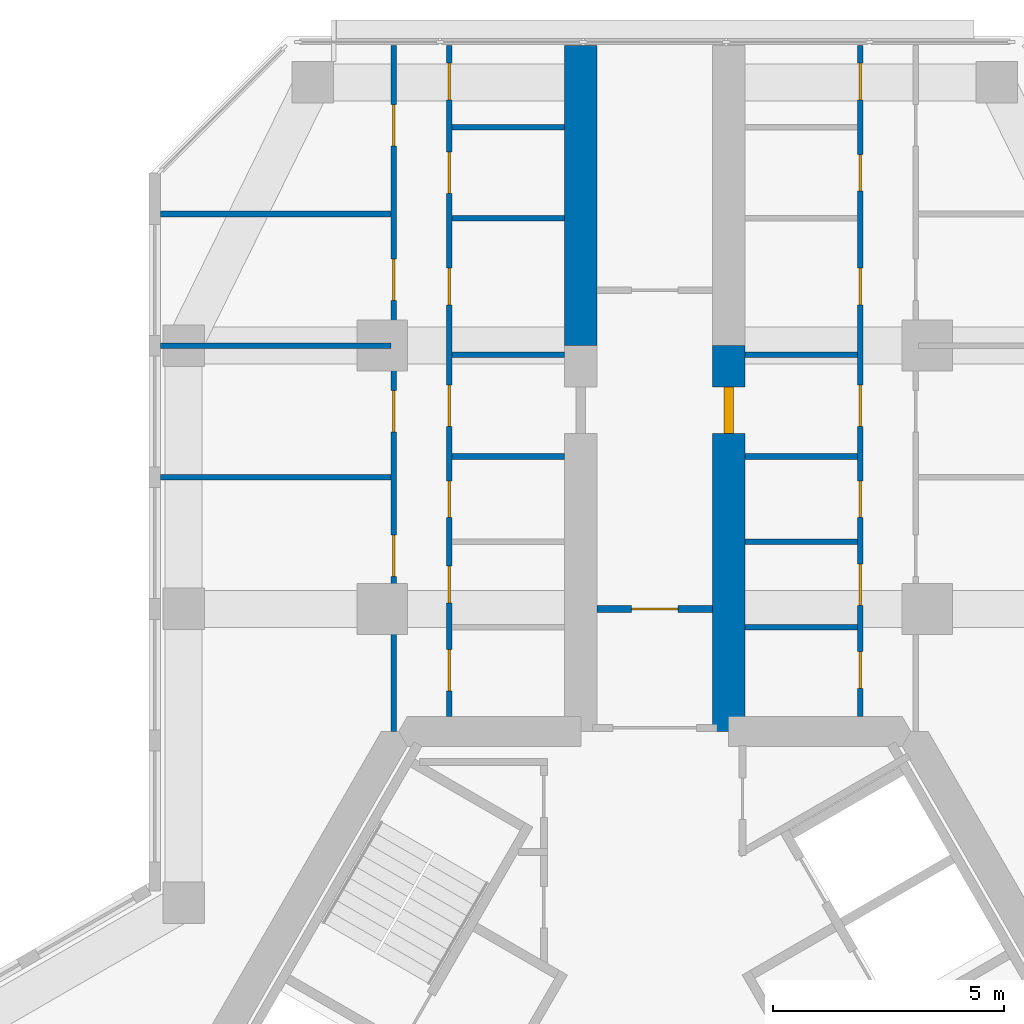
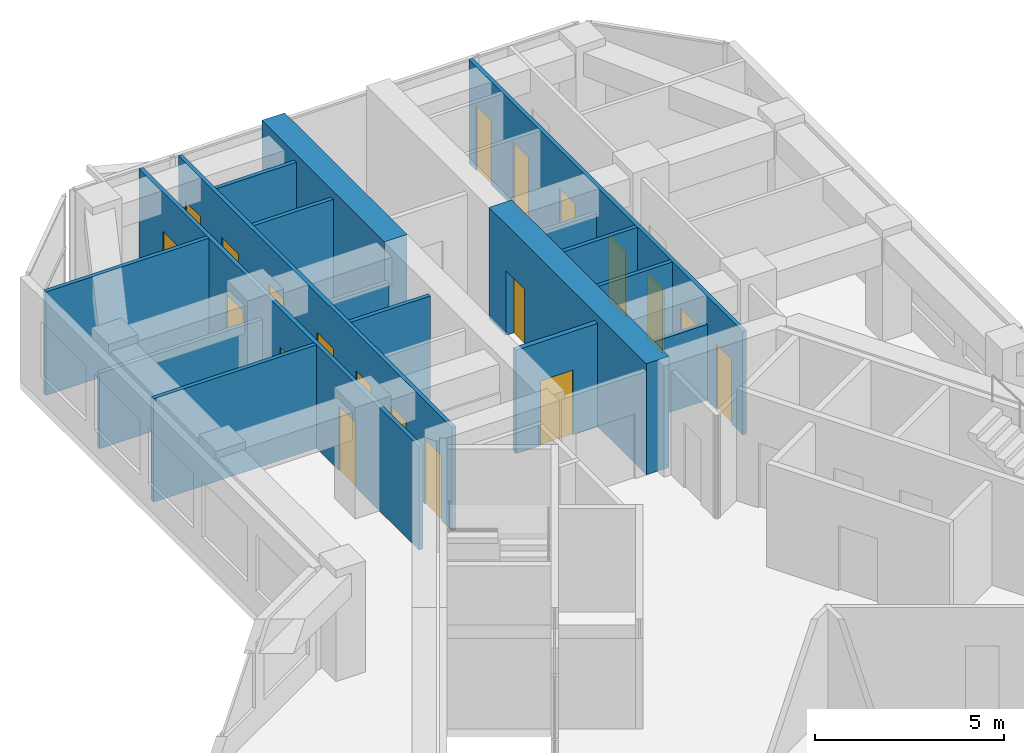
# One storey, part 14 of 16: 20 doors, 17 walls, 20 openings.
"""IFC4 building model written with IfcOpenShell, lengths in metres."""

import ifcopenshell
import ifcopenshell.guid

model = None  # the IFC model being written
_history = None  # IfcOwnerHistory: only IFC2X3 demands one
_inside = {}  # id of a spatial element -> (the spatial element, [elements in it])
_under = {}  # id of a project, library or spatial element -> (it, [spatial elements below it])
_declared = {}  # id of a project -> (the project, [libraries it declares])
_typed = {}  # id of a type object -> (the type object, [elements of that type])
_made_of = {}  # id of a material, layer set ... -> (it, [elements and type objects made of it])


def new_model(schema):
    """Start an empty IFC model of exactly this schema.

    Asked for "IFC4X3", IfcOpenShell would pick the latest addendum, in which some entities
    have other attributes; the version numbers below select the first issue.
    IFC2X3 requires an IfcOwnerHistory on every rooted entity: one is made here for all.
    """
    global model, _history
    if schema == "IFC4X3":
        model = ifcopenshell.file(schema_version=(4, 3, 0, 0))
    else:
        model = ifcopenshell.file(schema=schema)
    _inside.clear()
    _under.clear()
    _declared.clear()
    _typed.clear()
    _made_of.clear()
    _history = None
    if model.schema == "IFC2X3":
        org = make("IfcOrganization", Name="unknown")
        user = make(
            "IfcPersonAndOrganization",
            ThePerson=make("IfcPerson", FamilyName="unknown"),
            TheOrganization=org,
        )
        app = make(
            "IfcApplication",
            ApplicationDeveloper=org,
            Version="unknown",
            ApplicationFullName="unknown",
            ApplicationIdentifier="unknown",
        )
        _history = make(
            "IfcOwnerHistory",
            OwningUser=user,
            OwningApplication=app,
            ChangeAction="ADDED",
            CreationDate=0,
        )
    return model


def make(cls, **values):
    """One entity of the class cls with the attributes given. An attribute that is None is left unset."""
    return model.create_entity(
        cls, **{name: value for name, value in values.items() if value is not None}
    )


def rooted(cls, **values):
    """An entity with a GlobalId (a new one), such as an element, a storey or a relation."""
    return make(cls, GlobalId=ifcopenshell.guid.new(), OwnerHistory=_history, **values)


def si_unit(unit_type, name, prefix=None):
    """IfcSIUnit, for example si_unit("LENGTHUNIT", "METRE", prefix="MILLI")."""
    return make("IfcSIUnit", UnitType=unit_type, Prefix=prefix, Name=name)


def assignment(units):
    """IfcUnitAssignment: the units of a project."""
    return None if units is None else make("IfcUnitAssignment", Units=units)


def point(xyz):
    """IfcCartesianPoint."""
    return None if xyz is None else make("IfcCartesianPoint", Coordinates=xyz)


def direction(xyz):
    """IfcDirection."""
    return None if xyz is None else make("IfcDirection", DirectionRatios=xyz)


def frame(location, z_axis=None, x_axis=None):
    """IfcAxis2Placement3D, a coordinate frame: its origin and axes. An axis left out is left unset."""
    return make(
        "IfcAxis2Placement3D",
        Location=point(location),
        Axis=direction(z_axis),
        RefDirection=direction(x_axis),
    )


def frame_2d(location, x_axis=None):
    """IfcAxis2Placement2D, a coordinate frame in the plane: its origin and x axis."""
    return make(
        "IfcAxis2Placement2D", Location=point(location), RefDirection=direction(x_axis)
    )


def origin():
    """The frame at (0, 0, 0) with its axes left unset."""
    return frame((0.0, 0.0, 0.0))


def place(relative_to, where):
    """IfcLocalPlacement: puts the frame where relative to a parent placement (None: the world)."""
    return make(
        "IfcLocalPlacement", PlacementRelTo=relative_to, RelativePlacement=where
    )


def context(
    kind, dimensions, precision=None, world=None, true_north=None, identifier=None
):
    """IfcGeometricRepresentationContext, for example the 3D "Model" context."""
    return make(
        "IfcGeometricRepresentationContext",
        ContextIdentifier=identifier,
        ContextType=kind,
        CoordinateSpaceDimension=dimensions,
        Precision=precision,
        WorldCoordinateSystem=world,
        TrueNorth=true_north,
    )


def subcontext(parent, identifier, kind, view, scale=None):
    """IfcGeometricRepresentationSubContext, for example "Body" below "Model"."""
    return make(
        "IfcGeometricRepresentationSubContext",
        ContextIdentifier=identifier,
        ContextType=kind,
        ParentContext=parent,
        TargetScale=scale,
        TargetView=view,
    )


def project(units=None, contexts=None):
    """IfcProject with its units and contexts."""
    return rooted(
        "IfcProject",
        Name="project",
        RepresentationContexts=contexts,
        UnitsInContext=assignment(units),
    )


def spatial(cls, under=None, at=None, **own):
    """A site, building, storey or space (cls), placed at a placement, below another one or the project."""
    s = rooted(cls, ObjectPlacement=at, **own)
    if under is not None:
        _under.setdefault(under.id(), (under, []))[1].append(s)
    return s


def profile(cls, at=None, kind="AREA", **sizes):
    """A parametric profile (cls). Its sizes go by their IFC names, for example OverallWidth=200.0."""
    return make(cls, ProfileType=kind, Position=at, **sizes)


def rectangle(**sizes):
    """IfcRectangleProfileDef."""
    return profile("IfcRectangleProfileDef", **sizes)


def extrude(swept, where, along, depth):
    """IfcExtrudedAreaSolid: the profile swept, set in the frame where, extruded along a direction by depth."""
    return make(
        "IfcExtrudedAreaSolid",
        SweptArea=swept,
        Position=where,
        ExtrudedDirection=direction(along),
        Depth=depth,
    )


def shape(context_of_items, identifier, shape_type, items):
    """IfcShapeRepresentation: the items that make up one representation, for example the "Body"."""
    return make(
        "IfcShapeRepresentation",
        ContextOfItems=context_of_items,
        RepresentationIdentifier=identifier,
        RepresentationType=shape_type,
        Items=items,
    )


def material(Name=None, Category=None):
    """IfcMaterial."""
    return make("IfcMaterial", Name=Name, Category=Category)


def layer(
    of_material, thickness, ventilated=None, Name=None, Category=None, Priority=None
):
    """IfcMaterialLayer: one layer of a wall or slab, of a material (None: an air gap)."""
    return make(
        "IfcMaterialLayer",
        Material=of_material,
        LayerThickness=thickness,
        IsVentilated=ventilated,
        Name=Name,
        Category=Category,
        Priority=Priority,
    )


def layer_set(layers, Name=None):
    """IfcMaterialLayerSet."""
    return make("IfcMaterialLayerSet", MaterialLayers=layers, LayerSetName=Name)


def made_of(thing, what):
    """Note that an element or type object is made of a material, layer set ...; save() writes the relation."""
    if what is not None:
        _made_of.setdefault(what.id(), (what, []))[1].append(thing)
    return thing


def type_object(cls, material=None, **own):
    """A type object (cls), such as IfcWallType, which elements share."""
    return made_of(rooted(cls, **own), material)


def element(
    cls,
    number,
    at=None,
    inside=None,
    cuts=None,
    type_object=None,
    material=None,
    context=None,
    identifier="Body",
    shape_type=None,
    held_by="IfcProductDefinitionShape",
    body=None,
    shapes=None,
    **own,
):
    """One element of the class cls, such as IfcWall. Its Tag is "e" and its number.

    at: its placement. inside: the storey or other place that contains it. cuts: it is an
    opening in that element (IfcRelVoidsElement). A single representation is given by context,
    identifier, shape_type and body (its items); several are given by shapes. held_by: the class
    of the entity that holds the representations. save() writes the other relations.
    """
    e = rooted(cls, Tag="e%d" % number, ObjectPlacement=at, **own)
    if body is not None:
        shapes = [shape(context, identifier, shape_type, body)]
    if shapes is not None:
        e.Representation = make(held_by, Representations=shapes)
    if inside is not None:
        _inside.setdefault(inside.id(), (inside, []))[1].append(e)
    if cuts is not None:
        rooted(
            "IfcRelVoidsElement", RelatingBuildingElement=cuts, RelatedOpeningElement=e
        )
    if type_object is not None:
        _typed.setdefault(type_object.id(), (type_object, []))[1].append(e)
    return made_of(e, material)


def fill(opening, filler):
    """IfcRelFillsElement: the door or window that sits in an opening."""
    return rooted(
        "IfcRelFillsElement",
        RelatingOpeningElement=opening,
        RelatedBuildingElement=filler,
    )


def aggregate(whole, parts):
    """IfcRelAggregates: a whole, such as a stair, and the parts it consists of."""
    return rooted("IfcRelAggregates", RelatingObject=whole, RelatedObjects=parts)


def save(model, path):
    """Write the relations noted so far, then the file.

    IfcRelAggregates (storeys below a building ...), IfcRelContainedInSpatialStructure (elements
    in a storey), IfcRelDefinesByType, IfcRelAssociatesMaterial and IfcRelDeclares: one each for
    every whole, place, type object, material and project.
    """
    for whole, parts in _under.values():
        aggregate(whole, parts)
    for where, things in _inside.values():
        rooted(
            "IfcRelContainedInSpatialStructure",
            RelatedElements=things,
            RelatingStructure=where,
        )
    for kind, things in _typed.values():
        rooted("IfcRelDefinesByType", RelatedObjects=things, RelatingType=kind)
    for what, things in _made_of.values():
        rooted("IfcRelAssociatesMaterial", RelatedObjects=things, RelatingMaterial=what)
    for by, libraries in _declared.values():
        rooted("IfcRelDeclares", RelatingContext=by, RelatedDefinitions=libraries)
    model.write(path)


model = new_model("IFC4")

# Units and contexts
model_context = context("Model", 3, precision=1e-05, world=origin(), true_north=direction((0.0, 1.0)))
body_context = subcontext(model_context, "Body", "Model", "MODEL_VIEW")
ifc_project = project(units=[si_unit("LENGTHUNIT", "METRE"), si_unit("AREAUNIT", "SQUARE_METRE"), si_unit("VOLUMEUNIT", "CUBIC_METRE"), si_unit("PLANEANGLEUNIT", "RADIAN"), si_unit("MASSUNIT", "GRAM", prefix="KILO")], contexts=[model_context])

# Site, building, storey
site_placement = place(None, origin())
site = spatial("IfcSite", under=ifc_project, at=site_placement, CompositionType="ELEMENT")
building_placement = place(site_placement, origin())
building = spatial("IfcBuilding", under=site, at=building_placement, Name="Kosmar Iwan School Tower", CompositionType="ELEMENT")
storey_placement = place(building_placement, frame((0.0, 0.0, 201.0)))
storey = spatial("IfcBuildingStorey", under=building, at=storey_placement, Name="L50", CompositionType="ELEMENT", Elevation=201.0)

# Wall
ifc_material_1 = material(Name="Concrete C50/60", Category="concrete")
ifc_layer_1 = layer(ifc_material_1, 0.699951171875)
ifc_layer_set_1 = layer_set([ifc_layer_1], Name="Corridor buttress wall 700")
wall_type_1 = type_object("IfcWallType", Name="Corridor buttress wall 700", PredefinedType="SHEAR", material=ifc_layer_set_1)
wall_1_placement = place(storey_placement, frame((-1.60009765625, 17.949951171875, 0.0), z_axis=(0.0, 0.0, 1.0), x_axis=(0.0, 1.0, 0.0)))
element("IfcWall", 1, at=wall_1_placement, inside=storey, type_object=wall_type_1, Name="Corridor wall AL bay 2", PredefinedType="SHEAR", context=body_context, shape_type="SweptSolid", body=[
    extrude(rectangle(XDim=6.4951171875, YDim=0.699951171875, at=frame_2d((3.24755859375, 0.0))), origin(), (0.0, 0.0, 1.0), 3.60009765625),
])

# Wall, opening, door
wall_2_placement = place(storey_placement, frame((1.60009765625, 9.60009765625, 0.0), z_axis=(0.0, 0.0, 1.0), x_axis=(0.0, 1.0, 0.0)))
wall_2 = element("IfcWall", 2, at=wall_2_placement, inside=storey, type_object=wall_type_1, Name="Corridor wall AR", PredefinedType="SHEAR", context=body_context, shape_type="SweptSolid", body=[
    extrude(rectangle(XDim=8.349853515625, YDim=0.699951171875, at=frame_2d((4.1748046875, 0.0))), origin(), (0.0, 0.0, 1.0), 3.60009765625),
])
opening_1_placement = place(wall_2_placement, frame((6.449951171875, 0.0, 0.0)))
opening_1 = element("IfcOpeningElement", 3, at=opening_1_placement, cuts=wall_2, Name="Opening D1", PredefinedType="OPENING", context=body_context, shape_type="SweptSolid", body=[
    extrude(rectangle(XDim=1.0, YDim=2.10009765625, at=frame_2d((0.5, 1.050048828125))), frame((0.0, 0.362060546875, 0.0), z_axis=(0.0, -1.0, 0.0), x_axis=(1.0, 0.0, 0.0)), (0.0, 0.0, 1.0), 0.723876953125),
])
ifc_material_2 = material(Name="Timber fire door in steel frame", Category="steel")
door_type_1 = type_object("IfcDoorType", Name="Flat entrance door 1000x2100", OperationType="SINGLE_SWING_LEFT", PredefinedType="DOOR", material=ifc_material_2)
door_1_placement = place(opening_1_placement, origin())
door_1 = element("IfcDoor", 4, at=door_1_placement, inside=storey, type_object=door_type_1, Name="Flat L50-AR1 entrance door", OperationType="SINGLE_SWING_RIGHT", OverallHeight=2.10009765625, OverallWidth=1.0, PredefinedType="DOOR", context=body_context, shape_type="SweptSolid", body=[
    extrude(rectangle(XDim=1.0, YDim=2.10009765625, at=frame_2d((0.5, 1.050048828125))), frame((0.0, 0.10009765625, 0.0), z_axis=(0.0, -1.0, 0.0), x_axis=(1.0, 0.0, 0.0)), (0.0, 0.0, 1.0), 0.199951171875),
])
fill(opening_1, door_1)

ifc_material_3 = material(Name="Gypsum board on steel studs, fire-rated", Category="steel")
ifc_layer_2 = layer(ifc_material_3, 0.14990234375)
ifc_layer_set_2 = layer_set([ifc_layer_2], Name="Corridor end wall 150")
wall_type_2 = type_object("IfcWallType", Name="Corridor end wall 150", PredefinedType="PARTITIONING", material=ifc_layer_set_2)
wall_3_placement = place(storey_placement, frame((1.25, 12.25, 0.0), z_axis=(0.0, 0.0, 1.0), x_axis=(-1.0, 0.0, 0.0)))
wall_3 = element("IfcWall", 5, at=wall_3_placement, inside=storey, type_object=wall_type_2, Name="Partition L50-A-HW", PredefinedType="PARTITIONING", context=body_context, shape_type="SweptSolid", body=[
    extrude(rectangle(XDim=2.5, YDim=0.14990234375, at=frame_2d((1.25, 0.0))), origin(), (0.0, 0.0, 1.0), 3.35009765625),
])
opening_2_placement = place(wall_3_placement, frame((0.75, 0.0, 0.0)))
opening_2 = element("IfcOpeningElement", 6, at=opening_2_placement, cuts=wall_3, Name="Opening D13", PredefinedType="OPENING", context=body_context, shape_type="SweptSolid", body=[
    extrude(rectangle(XDim=1.0, YDim=2.10009765625, at=frame_2d((0.5, 1.050048828125))), frame((0.0, 0.0869140625, 0.0), z_axis=(0.0, -1.0, 0.0), x_axis=(1.0, 0.0, 0.0)), (0.0, 0.0, 1.0), 0.173828125),
])
ifc_material_4 = material(Name="Timber fire door with vision panel", Category="wood")
door_type_2 = type_object("IfcDoorType", Name="Corridor end door 1000x2100", OperationType="SINGLE_SWING_LEFT", PredefinedType="DOOR", material=ifc_material_4)
door_2_placement = place(opening_2_placement, origin())
door_2 = element("IfcDoor", 7, at=door_2_placement, inside=storey, type_object=door_type_2, Name="Entrance door L50-A", OperationType="SINGLE_SWING_RIGHT", OverallHeight=2.10009765625, OverallWidth=1.0, PredefinedType="DOOR", context=body_context, shape_type="SweptSolid", body=[
    extrude(rectangle(XDim=1.0, YDim=2.10009765625, at=frame_2d((0.5, 1.050048828125))), frame((0.0, 0.02490234375, 0.0), z_axis=(0.0, -1.0, 0.0), x_axis=(1.0, 0.0, 0.0)), (0.0, 0.0, 1.0), 0.050048828125),
])
fill(opening_2, door_2)

# Wall, openings, doors
ifc_material_5 = material(Name="Gypsum board on steel studs", Category="steel")
ifc_layer_3 = layer(ifc_material_5, 0.1201171875)
ifc_layer_set_3 = layer_set([ifc_layer_3], Name="Dwelling partition 120")
wall_type_3 = type_object("IfcWallType", Name="Dwelling partition 120", PredefinedType="PARTITIONING", material=ifc_layer_set_3)
wall_4_placement = place(storey_placement, frame((-4.449951171875, 9.925048828125, 0.0), z_axis=(0.0, 0.0, 1.0), x_axis=(0.0, 1.0, 0.0)))
wall_4 = element("IfcWall", 8, at=wall_4_placement, inside=storey, type_object=wall_type_3, Name="Partition L50-AL1-W1", PredefinedType="PARTITIONING", context=body_context, shape_type="SweptSolid", body=[
    extrude(rectangle(XDim=14.52001953125, YDim=0.1201171875, at=frame_2d((7.260009765625, 0.0))), origin(), (0.0, 0.0, 1.0), 3.35009765625),
])
opening_3_placement = place(wall_4_placement, frame((0.550048828125, 0.0, 0.0)))
opening_3 = element("IfcOpeningElement", 9, at=opening_3_placement, cuts=wall_4, Name="Opening D2", PredefinedType="OPENING", context=body_context, shape_type="SweptSolid", body=[
    extrude(rectangle(XDim=0.89990234375, YDim=2.10009765625, at=frame_2d((0.449951171875, 1.050048828125))), frame((0.0, 0.072021484375, 0.0), z_axis=(0.0, -1.0, 0.0), x_axis=(1.0, 0.0, 0.0)), (0.0, 0.0, 1.0), 0.14404296875),
])
opening_4_placement = place(wall_4_placement, frame((2.449951171875, 0.0, 0.0)))
opening_4 = element("IfcOpeningElement", 10, at=opening_4_placement, cuts=wall_4, Name="Opening D3", PredefinedType="OPENING", context=body_context, shape_type="SweptSolid", body=[
    extrude(rectangle(XDim=0.800048828125, YDim=2.10009765625, at=frame_2d((0.39990234375, 1.050048828125))), frame((0.0, 0.072021484375, 0.0), z_axis=(0.0, -1.0, 0.0), x_axis=(1.0, 0.0, 0.0)), (0.0, 0.0, 1.0), 0.14404296875),
])
opening_5_placement = place(wall_4_placement, frame((4.300048828125, 0.0, 0.0)))
opening_5 = element("IfcOpeningElement", 11, at=opening_5_placement, cuts=wall_4, Name="Opening D3", PredefinedType="OPENING", context=body_context, shape_type="SweptSolid", body=[
    extrude(rectangle(XDim=0.800048828125, YDim=2.10009765625, at=frame_2d((0.39990234375, 1.050048828125))), frame((0.0, 0.072021484375, 0.0), z_axis=(0.0, -1.0, 0.0), x_axis=(1.0, 0.0, 0.0)), (0.0, 0.0, 1.0), 0.14404296875),
])
opening_6_placement = place(wall_4_placement, frame((6.27490234375, 0.0, 0.0)))
opening_6 = element("IfcOpeningElement", 12, at=opening_6_placement, cuts=wall_4, Name="Opening D2", PredefinedType="OPENING", context=body_context, shape_type="SweptSolid", body=[
    extrude(rectangle(XDim=0.89990234375, YDim=2.10009765625, at=frame_2d((0.449951171875, 1.050048828125))), frame((0.0, 0.072021484375, 0.0), z_axis=(0.0, -1.0, 0.0), x_axis=(1.0, 0.0, 0.0)), (0.0, 0.0, 1.0), 0.14404296875),
])
opening_7_placement = place(wall_4_placement, frame((8.903564453125, 0.0, 0.0)))
opening_7 = element("IfcOpeningElement", 13, at=opening_7_placement, cuts=wall_4, Name="Opening D3", PredefinedType="OPENING", context=body_context, shape_type="SweptSolid", body=[
    extrude(rectangle(XDim=0.800048828125, YDim=2.10009765625, at=frame_2d((0.39990234375, 1.050048828125))), frame((0.0, 0.072021484375, 0.0), z_axis=(0.0, -1.0, 0.0), x_axis=(1.0, 0.0, 0.0)), (0.0, 0.0, 1.0), 0.14404296875),
])
opening_8_placement = place(wall_4_placement, frame((11.31787109375, 0.0, 0.0)))
opening_8 = element("IfcOpeningElement", 14, at=opening_8_placement, cuts=wall_4, Name="Opening D2", PredefinedType="OPENING", context=body_context, shape_type="SweptSolid", body=[
    extrude(rectangle(XDim=0.89990234375, YDim=2.10009765625, at=frame_2d((0.449951171875, 1.050048828125))), frame((0.0, 0.072021484375, 0.0), z_axis=(0.0, -1.0, 0.0), x_axis=(1.0, 0.0, 0.0)), (0.0, 0.0, 1.0), 0.14404296875),
])
opening_9_placement = place(wall_4_placement, frame((13.33935546875, 0.0, 0.0)))
opening_9 = element("IfcOpeningElement", 15, at=opening_9_placement, cuts=wall_4, Name="Opening D3", PredefinedType="OPENING", context=body_context, shape_type="SweptSolid", body=[
    extrude(rectangle(XDim=0.800048828125, YDim=2.10009765625, at=frame_2d((0.39990234375, 1.050048828125))), frame((0.0, 0.072021484375, 0.0), z_axis=(0.0, -1.0, 0.0), x_axis=(1.0, 0.0, 0.0)), (0.0, 0.0, 1.0), 0.14404296875),
])
ifc_material_6 = material(Name="Timber door in timber frame", Category="wood")
door_type_3 = type_object("IfcDoorType", Name="Internal door 900x2100", OperationType="SINGLE_SWING_LEFT", PredefinedType="DOOR", material=ifc_material_6)
door_3_placement = place(opening_3_placement, origin())
door_3 = element("IfcDoor", 16, at=door_3_placement, inside=storey, type_object=door_type_3, Name="Utility room door L50-AL1-S1", OperationType="SINGLE_SWING_LEFT", OverallHeight=2.10009765625, OverallWidth=0.89990234375, PredefinedType="DOOR", context=body_context, shape_type="SweptSolid", body=[
    extrude(rectangle(XDim=0.89990234375, YDim=2.10009765625, at=frame_2d((0.449951171875, 1.050048828125))), frame((0.0, 0.02490234375, 0.0), z_axis=(0.0, -1.0, 0.0), x_axis=(1.0, 0.0, 0.0)), (0.0, 0.0, 1.0), 0.050048828125),
])
fill(opening_3, door_3)
door_4_placement = place(opening_6_placement, origin())
door_4 = element("IfcDoor", 17, at=door_4_placement, inside=storey, type_object=door_type_3, Name="Entrance hall door L50-AL1-S4", OperationType="SINGLE_SWING_LEFT", OverallHeight=2.10009765625, OverallWidth=0.89990234375, PredefinedType="DOOR", context=body_context, shape_type="SweptSolid", body=[
    extrude(rectangle(XDim=0.89990234375, YDim=2.10009765625, at=frame_2d((0.449951171875, 1.050048828125))), frame((0.0, 0.02490234375, 0.0), z_axis=(0.0, -1.0, 0.0), x_axis=(1.0, 0.0, 0.0)), (0.0, 0.0, 1.0), 0.050048828125),
])
fill(opening_6, door_4)
door_5_placement = place(opening_8_placement, origin())
door_5 = element("IfcDoor", 18, at=door_5_placement, inside=storey, type_object=door_type_3, Name="Pantry door L50-AL1-S6", OperationType="SINGLE_SWING_RIGHT", OverallHeight=2.10009765625, OverallWidth=0.89990234375, PredefinedType="DOOR", context=body_context, shape_type="SweptSolid", body=[
    extrude(rectangle(XDim=0.89990234375, YDim=2.10009765625, at=frame_2d((0.449951171875, 1.050048828125))), frame((0.0, 0.02490234375, 0.0), z_axis=(0.0, -1.0, 0.0), x_axis=(1.0, 0.0, 0.0)), (0.0, 0.0, 1.0), 0.050048828125),
])
fill(opening_8, door_5)
ifc_material_7 = material(Name="Timber door in timber frame", Category="wood")
door_type_4 = type_object("IfcDoorType", Name="Sanitary room door 800x2100", OperationType="SINGLE_SWING_LEFT", PredefinedType="DOOR", material=ifc_material_7)
door_6_placement = place(opening_4_placement, origin())
door_6 = element("IfcDoor", 19, at=door_6_placement, inside=storey, type_object=door_type_4, Name="WC door L50-AL1-S2", OperationType="SINGLE_SWING_LEFT", OverallHeight=2.10009765625, OverallWidth=0.800048828125, PredefinedType="DOOR", context=body_context, shape_type="SweptSolid", body=[
    extrude(rectangle(XDim=0.800048828125, YDim=2.10009765625, at=frame_2d((0.39990234375, 1.050048828125))), frame((0.0, 0.02490234375, 0.0), z_axis=(0.0, -1.0, 0.0), x_axis=(1.0, 0.0, 0.0)), (0.0, 0.0, 1.0), 0.050048828125),
])
fill(opening_4, door_6)
door_7_placement = place(opening_5_placement, origin())
door_7 = element("IfcDoor", 20, at=door_7_placement, inside=storey, type_object=door_type_4, Name="Shower room door L50-AL1-S3", OperationType="SINGLE_SWING_LEFT", OverallHeight=2.10009765625, OverallWidth=0.800048828125, PredefinedType="DOOR", context=body_context, shape_type="SweptSolid", body=[
    extrude(rectangle(XDim=0.800048828125, YDim=2.10009765625, at=frame_2d((0.39990234375, 1.050048828125))), frame((0.0, 0.02490234375, 0.0), z_axis=(0.0, -1.0, 0.0), x_axis=(1.0, 0.0, 0.0)), (0.0, 0.0, 1.0), 0.050048828125),
])
fill(opening_5, door_7)
door_8_placement = place(opening_7_placement, origin())
door_8 = element("IfcDoor", 21, at=door_8_placement, inside=storey, type_object=door_type_4, Name="Bathroom door L50-AL1-S5", OperationType="SINGLE_SWING_RIGHT", OverallHeight=2.10009765625, OverallWidth=0.800048828125, PredefinedType="DOOR", context=body_context, shape_type="SweptSolid", body=[
    extrude(rectangle(XDim=0.800048828125, YDim=2.10009765625, at=frame_2d((0.39990234375, 1.050048828125))), frame((0.0, 0.02490234375, 0.0), z_axis=(0.0, -1.0, 0.0), x_axis=(1.0, 0.0, 0.0)), (0.0, 0.0, 1.0), 0.050048828125),
])
fill(opening_7, door_8)
door_9_placement = place(opening_9_placement, origin())
door_9 = element("IfcDoor", 22, at=door_9_placement, inside=storey, type_object=door_type_4, Name="Store door L50-AL1-S7", OperationType="SINGLE_SWING_RIGHT", OverallHeight=2.10009765625, OverallWidth=0.800048828125, PredefinedType="DOOR", context=body_context, shape_type="SweptSolid", body=[
    extrude(rectangle(XDim=0.800048828125, YDim=2.10009765625, at=frame_2d((0.39990234375, 1.050048828125))), frame((0.0, 0.02490234375, 0.0), z_axis=(0.0, -1.0, 0.0), x_axis=(1.0, 0.0, 0.0)), (0.0, 0.0, 1.0), 0.050048828125),
])
fill(opening_9, door_9)

wall_5_placement = place(storey_placement, frame((-5.64990234375, 9.60009765625, 0.0), z_axis=(0.0, 0.0, 1.0), x_axis=(0.0, 1.0, 0.0)))
wall_5 = element("IfcWall", 23, at=wall_5_placement, inside=storey, type_object=wall_type_3, Name="Partition L50-AL1-W2", PredefinedType="PARTITIONING", context=body_context, shape_type="SweptSolid", body=[
    extrude(rectangle(XDim=14.844970703125, YDim=0.1201171875, at=frame_2d((7.42236328125, 0.0))), origin(), (0.0, 0.0, 1.0), 3.35009765625),
])
opening_10_placement = place(wall_5_placement, frame((3.35009765625, 0.0, 0.0)))
opening_10 = element("IfcOpeningElement", 24, at=opening_10_placement, cuts=wall_5, Name="Opening D2", PredefinedType="OPENING", context=body_context, shape_type="SweptSolid", body=[
    extrude(rectangle(XDim=0.89990234375, YDim=2.10009765625, at=frame_2d((0.449951171875, 1.050048828125))), frame((0.0, 0.072021484375, 0.0), z_axis=(0.0, -1.0, 0.0), x_axis=(1.0, 0.0, 0.0)), (0.0, 0.0, 1.0), 0.14404296875),
])
opening_11_placement = place(wall_5_placement, frame((6.47509765625, 0.0, 0.0)))
opening_11 = element("IfcOpeningElement", 25, at=opening_11_placement, cuts=wall_5, Name="Opening D2", PredefinedType="OPENING", context=body_context, shape_type="SweptSolid", body=[
    extrude(rectangle(XDim=0.89990234375, YDim=2.10009765625, at=frame_2d((0.449951171875, 1.050048828125))), frame((0.0, 0.072021484375, 0.0), z_axis=(0.0, -1.0, 0.0), x_axis=(1.0, 0.0, 0.0)), (0.0, 0.0, 1.0), 0.14404296875),
])
opening_12_placement = place(wall_5_placement, frame((9.324951171875, 0.0, 0.0)))
opening_12 = element("IfcOpeningElement", 26, at=opening_12_placement, cuts=wall_5, Name="Opening D2", PredefinedType="OPENING", context=body_context, shape_type="SweptSolid", body=[
    extrude(rectangle(XDim=0.89990234375, YDim=2.10009765625, at=frame_2d((0.449951171875, 1.050048828125))), frame((0.0, 0.072021484375, 0.0), z_axis=(0.0, -1.0, 0.0), x_axis=(1.0, 0.0, 0.0)), (0.0, 0.0, 1.0), 0.14404296875),
])
opening_13_placement = place(wall_5_placement, frame((12.675048828125, 0.0, 0.0)))
opening_13 = element("IfcOpeningElement", 27, at=opening_13_placement, cuts=wall_5, Name="Opening D2", PredefinedType="OPENING", context=body_context, shape_type="SweptSolid", body=[
    extrude(rectangle(XDim=0.89990234375, YDim=2.10009765625, at=frame_2d((0.449951171875, 1.050048828125))), frame((0.0, 0.072021484375, 0.0), z_axis=(0.0, -1.0, 0.0), x_axis=(1.0, 0.0, 0.0)), (0.0, 0.0, 1.0), 0.14404296875),
])
door_10_placement = place(opening_10_placement, origin())
door_10 = element("IfcDoor", 28, at=door_10_placement, inside=storey, type_object=door_type_3, Name="Family room and kitchen door L50-AL1-F1", OperationType="SINGLE_SWING_RIGHT", OverallHeight=2.10009765625, OverallWidth=0.89990234375, PredefinedType="DOOR", context=body_context, shape_type="SweptSolid", body=[
    extrude(rectangle(XDim=0.89990234375, YDim=2.10009765625, at=frame_2d((0.449951171875, 1.050048828125))), frame((0.0, 0.02490234375, 0.0), z_axis=(0.0, -1.0, 0.0), x_axis=(1.0, 0.0, 0.0)), (0.0, 0.0, 1.0), 0.050048828125),
])
fill(opening_10, door_10)
door_11_placement = place(opening_11_placement, origin())
door_11 = element("IfcDoor", 29, at=door_11_placement, inside=storey, type_object=door_type_3, Name="Bedroom 1 door L50-AL1-F2", OperationType="SINGLE_SWING_RIGHT", OverallHeight=2.10009765625, OverallWidth=0.89990234375, PredefinedType="DOOR", context=body_context, shape_type="SweptSolid", body=[
    extrude(rectangle(XDim=0.89990234375, YDim=2.10009765625, at=frame_2d((0.449951171875, 1.050048828125))), frame((0.0, 0.02490234375, 0.0), z_axis=(0.0, -1.0, 0.0), x_axis=(1.0, 0.0, 0.0)), (0.0, 0.0, 1.0), 0.050048828125),
])
fill(opening_11, door_11)
door_12_placement = place(opening_12_placement, origin())
door_12 = element("IfcDoor", 30, at=door_12_placement, inside=storey, type_object=door_type_3, Name="Bedroom 2 door L50-AL1-F3", OperationType="SINGLE_SWING_LEFT", OverallHeight=2.10009765625, OverallWidth=0.89990234375, PredefinedType="DOOR", context=body_context, shape_type="SweptSolid", body=[
    extrude(rectangle(XDim=0.89990234375, YDim=2.10009765625, at=frame_2d((0.449951171875, 1.050048828125))), frame((0.0, 0.02490234375, 0.0), z_axis=(0.0, -1.0, 0.0), x_axis=(1.0, 0.0, 0.0)), (0.0, 0.0, 1.0), 0.050048828125),
])
fill(opening_12, door_12)
door_13_placement = place(opening_13_placement, origin())
door_13 = element("IfcDoor", 31, at=door_13_placement, inside=storey, type_object=door_type_3, Name="Bedroom 3 door L50-AL1-F4", OperationType="SINGLE_SWING_RIGHT", OverallHeight=2.10009765625, OverallWidth=0.89990234375, PredefinedType="DOOR", context=body_context, shape_type="SweptSolid", body=[
    extrude(rectangle(XDim=0.89990234375, YDim=2.10009765625, at=frame_2d((0.449951171875, 1.050048828125))), frame((0.0, 0.02490234375, 0.0), z_axis=(0.0, -1.0, 0.0), x_axis=(1.0, 0.0, 0.0)), (0.0, 0.0, 1.0), 0.050048828125),
])
fill(opening_13, door_13)

# Walls
wall_6_placement = place(storey_placement, frame((-5.7099609375, 15.10009765625, 0.0), z_axis=(0.0, 0.0, 1.0), x_axis=(-1.0, 0.0, 0.0)))
element("IfcWall", 32, at=wall_6_placement, inside=storey, type_object=wall_type_3, Name="Partition L50-AL1-X1", PredefinedType="PARTITIONING", context=body_context, shape_type="SweptSolid", body=[
    extrude(rectangle(XDim=4.989990234375, YDim=0.1201171875, at=frame_2d((2.4951171875, 0.0))), origin(), (0.0, 0.0, 1.0), 3.35009765625),
])
wall_7_placement = place(storey_placement, frame((-5.7099609375, 17.949951171875, 0.0), z_axis=(0.0, 0.0, 1.0), x_axis=(-1.0, 0.0, 0.0)))
element("IfcWall", 33, at=wall_7_placement, inside=storey, type_object=wall_type_3, Name="Partition L50-AL1-X2", PredefinedType="PARTITIONING", context=body_context, shape_type="SweptSolid", body=[
    extrude(rectangle(XDim=4.989990234375, YDim=0.1201171875, at=frame_2d((2.4951171875, 0.0))), origin(), (0.0, 0.0, 1.0), 2.449951171875),
])
wall_8_placement = place(storey_placement, frame((-5.7099609375, 20.800048828125, 0.0), z_axis=(0.0, 0.0, 1.0), x_axis=(-1.0, 0.0, 0.0)))
element("IfcWall", 34, at=wall_8_placement, inside=storey, type_object=wall_type_3, Name="Partition L50-AL1-X3", PredefinedType="PARTITIONING", context=body_context, shape_type="SweptSolid", body=[
    extrude(rectangle(XDim=4.989990234375, YDim=0.1201171875, at=frame_2d((2.4951171875, 0.0))), origin(), (0.0, 0.0, 1.0), 3.35009765625),
])
wall_9_placement = place(storey_placement, frame((-1.949951171875, 15.550048828125, 0.0), z_axis=(0.0, 0.0, 1.0), x_axis=(-1.0, 0.0, 0.0)))
element("IfcWall", 35, at=wall_9_placement, inside=storey, type_object=wall_type_3, Name="Partition L50-AL1-Y3", PredefinedType="PARTITIONING", context=body_context, shape_type="SweptSolid", body=[
    extrude(rectangle(XDim=2.43994140625, YDim=0.1201171875, at=frame_2d((1.219970703125, 0.0))), origin(), (0.0, 0.0, 1.0), 3.35009765625),
])
wall_10_placement = place(storey_placement, frame((-1.949951171875, 17.75, 0.0), z_axis=(0.0, 0.0, 1.0), x_axis=(-1.0, 0.0, 0.0)))
element("IfcWall", 36, at=wall_10_placement, inside=storey, type_object=wall_type_3, Name="Partition L50-AL1-Y4", PredefinedType="PARTITIONING", context=body_context, shape_type="SweptSolid", body=[
    extrude(rectangle(XDim=2.43994140625, YDim=0.1201171875, at=frame_2d((1.219970703125, 0.0))), origin(), (0.0, 0.0, 1.0), 2.449951171875),
])
for number, where, z_axis, x_axis, name in (
    (37, (-1.949951171875, 20.70703125, 0.0), (0.0, 0.0, 1.0), (-1.0, 0.0, 0.0), "Partition L50-AL1-Y5"),
    (38, (-1.949951171875, 22.678466796875, 0.0), (0.0, 0.0, 1.0), (-1.0, 0.0, 0.0), "Partition L50-AL1-Y6"),
):
    element("IfcWall", number, at=place(storey_placement, frame(where, z_axis=z_axis, x_axis=x_axis)), inside=storey, type_object=wall_type_3, Name=name, PredefinedType="PARTITIONING", context=body_context, shape_type="SweptSolid", body=[
        extrude(rectangle(XDim=2.43994140625, YDim=0.1201171875, at=frame_2d((1.219970703125, 0.0))), origin(), (0.0, 0.0, 1.0), 3.35009765625),
    ])

# Wall, openings, doors
wall_11_placement = place(storey_placement, frame((4.449951171875, 9.925048828125, 0.0), z_axis=(0.0, 0.0, 1.0), x_axis=(0.0, 1.0, 0.0)))
wall_11 = element("IfcWall", 39, at=wall_11_placement, inside=storey, type_object=wall_type_3, Name="Partition L50-AR1-W1", PredefinedType="PARTITIONING", context=body_context, shape_type="SweptSolid", body=[
    extrude(rectangle(XDim=14.52001953125, YDim=0.1201171875, at=frame_2d((7.260009765625, 0.0))), origin(), (0.0, 0.0, 1.0), 3.35009765625),
])
opening_14_placement = place(wall_11_placement, frame((0.60009765625, 0.0, 0.0)))
opening_14 = element("IfcOpeningElement", 40, at=opening_14_placement, cuts=wall_11, Name="Opening D3", PredefinedType="OPENING", context=body_context, shape_type="SweptSolid", body=[
    extrude(rectangle(XDim=0.800048828125, YDim=2.10009765625, at=frame_2d((0.39990234375, 1.050048828125))), frame((0.0, 0.072021484375, 0.0), z_axis=(0.0, -1.0, 0.0), x_axis=(1.0, 0.0, 0.0)), (0.0, 0.0, 1.0), 0.14404296875),
])
opening_15_placement = place(wall_11_placement, frame((2.39990234375, 0.0, 0.0)))
opening_15 = element("IfcOpeningElement", 41, at=opening_15_placement, cuts=wall_11, Name="Opening D2", PredefinedType="OPENING", context=body_context, shape_type="SweptSolid", body=[
    extrude(rectangle(XDim=0.89990234375, YDim=2.10009765625, at=frame_2d((0.449951171875, 1.050048828125))), frame((0.0, 0.072021484375, 0.0), z_axis=(0.0, -1.0, 0.0), x_axis=(1.0, 0.0, 0.0)), (0.0, 0.0, 1.0), 0.14404296875),
])
opening_16_placement = place(wall_11_placement, frame((4.300048828125, 0.0, 0.0)))
opening_16 = element("IfcOpeningElement", 42, at=opening_16_placement, cuts=wall_11, Name="Opening D3", PredefinedType="OPENING", context=body_context, shape_type="SweptSolid", body=[
    extrude(rectangle(XDim=0.800048828125, YDim=2.10009765625, at=frame_2d((0.39990234375, 1.050048828125))), frame((0.0, 0.072021484375, 0.0), z_axis=(0.0, -1.0, 0.0), x_axis=(1.0, 0.0, 0.0)), (0.0, 0.0, 1.0), 0.14404296875),
])
opening_17_placement = place(wall_11_placement, frame((6.27490234375, 0.0, 0.0)))
opening_17 = element("IfcOpeningElement", 43, at=opening_17_placement, cuts=wall_11, Name="Opening D2", PredefinedType="OPENING", context=body_context, shape_type="SweptSolid", body=[
    extrude(rectangle(XDim=0.89990234375, YDim=2.10009765625, at=frame_2d((0.449951171875, 1.050048828125))), frame((0.0, 0.072021484375, 0.0), z_axis=(0.0, -1.0, 0.0), x_axis=(1.0, 0.0, 0.0)), (0.0, 0.0, 1.0), 0.14404296875),
])
opening_18_placement = place(wall_11_placement, frame((8.903564453125, 0.0, 0.0)))
opening_18 = element("IfcOpeningElement", 44, at=opening_18_placement, cuts=wall_11, Name="Opening D3", PredefinedType="OPENING", context=body_context, shape_type="SweptSolid", body=[
    extrude(rectangle(XDim=0.800048828125, YDim=2.10009765625, at=frame_2d((0.39990234375, 1.050048828125))), frame((0.0, 0.072021484375, 0.0), z_axis=(0.0, -1.0, 0.0), x_axis=(1.0, 0.0, 0.0)), (0.0, 0.0, 1.0), 0.14404296875),
])
opening_19_placement = place(wall_11_placement, frame((11.367919921875, 0.0, 0.0)))
opening_19 = element("IfcOpeningElement", 45, at=opening_19_placement, cuts=wall_11, Name="Opening D3", PredefinedType="OPENING", context=body_context, shape_type="SweptSolid", body=[
    extrude(rectangle(XDim=0.800048828125, YDim=2.10009765625, at=frame_2d((0.39990234375, 1.050048828125))), frame((0.0, 0.072021484375, 0.0), z_axis=(0.0, -1.0, 0.0), x_axis=(1.0, 0.0, 0.0)), (0.0, 0.0, 1.0), 0.14404296875),
])
opening_20_placement = place(wall_11_placement, frame((13.33935546875, 0.0, 0.0)))
opening_20 = element("IfcOpeningElement", 46, at=opening_20_placement, cuts=wall_11, Name="Opening D3", PredefinedType="OPENING", context=body_context, shape_type="SweptSolid", body=[
    extrude(rectangle(XDim=0.800048828125, YDim=2.10009765625, at=frame_2d((0.39990234375, 1.050048828125))), frame((0.0, 0.072021484375, 0.0), z_axis=(0.0, -1.0, 0.0), x_axis=(1.0, 0.0, 0.0)), (0.0, 0.0, 1.0), 0.14404296875),
])
door_14_placement = place(opening_15_placement, origin())
door_14 = element("IfcDoor", 47, at=door_14_placement, inside=storey, type_object=door_type_3, Name="Pantry door L50-AR1-S2", OperationType="SINGLE_SWING_RIGHT", OverallHeight=2.10009765625, OverallWidth=0.89990234375, PredefinedType="DOOR", context=body_context, shape_type="SweptSolid", body=[
    extrude(rectangle(XDim=0.89990234375, YDim=2.10009765625, at=frame_2d((0.449951171875, 1.050048828125))), frame((0.0, 0.02490234375, 0.0), z_axis=(0.0, -1.0, 0.0), x_axis=(1.0, 0.0, 0.0)), (0.0, 0.0, 1.0), 0.050048828125),
])
fill(opening_15, door_14)
door_15_placement = place(opening_17_placement, origin())
door_15 = element("IfcDoor", 48, at=door_15_placement, inside=storey, type_object=door_type_3, Name="Entrance hall door L50-AR1-S4", OperationType="SINGLE_SWING_RIGHT", OverallHeight=2.10009765625, OverallWidth=0.89990234375, PredefinedType="DOOR", context=body_context, shape_type="SweptSolid", body=[
    extrude(rectangle(XDim=0.89990234375, YDim=2.10009765625, at=frame_2d((0.449951171875, 1.050048828125))), frame((0.0, 0.02490234375, 0.0), z_axis=(0.0, -1.0, 0.0), x_axis=(1.0, 0.0, 0.0)), (0.0, 0.0, 1.0), 0.050048828125),
])
fill(opening_17, door_15)
door_16_placement = place(opening_14_placement, origin())
door_16 = element("IfcDoor", 49, at=door_16_placement, inside=storey, type_object=door_type_4, Name="Store door L50-AR1-S1", OperationType="SINGLE_SWING_LEFT", OverallHeight=2.10009765625, OverallWidth=0.800048828125, PredefinedType="DOOR", context=body_context, shape_type="SweptSolid", body=[
    extrude(rectangle(XDim=0.800048828125, YDim=2.10009765625, at=frame_2d((0.39990234375, 1.050048828125))), frame((0.0, 0.02490234375, 0.0), z_axis=(0.0, -1.0, 0.0), x_axis=(1.0, 0.0, 0.0)), (0.0, 0.0, 1.0), 0.050048828125),
])
fill(opening_14, door_16)
door_17_placement = place(opening_16_placement, origin())
door_17 = element("IfcDoor", 50, at=door_17_placement, inside=storey, type_object=door_type_4, Name="Grandparents' shower room door L50-AR1-S3", OperationType="SINGLE_SWING_LEFT", OverallHeight=2.10009765625, OverallWidth=0.800048828125, PredefinedType="DOOR", context=body_context, shape_type="SweptSolid", body=[
    extrude(rectangle(XDim=0.800048828125, YDim=2.10009765625, at=frame_2d((0.39990234375, 1.050048828125))), frame((0.0, 0.02490234375, 0.0), z_axis=(0.0, -1.0, 0.0), x_axis=(1.0, 0.0, 0.0)), (0.0, 0.0, 1.0), 0.050048828125),
])
fill(opening_16, door_17)
door_18_placement = place(opening_18_placement, origin())
door_18 = element("IfcDoor", 51, at=door_18_placement, inside=storey, type_object=door_type_4, Name="Bathroom door L50-AR1-S5", OperationType="SINGLE_SWING_LEFT", OverallHeight=2.10009765625, OverallWidth=0.800048828125, PredefinedType="DOOR", context=body_context, shape_type="SweptSolid", body=[
    extrude(rectangle(XDim=0.800048828125, YDim=2.10009765625, at=frame_2d((0.39990234375, 1.050048828125))), frame((0.0, 0.02490234375, 0.0), z_axis=(0.0, -1.0, 0.0), x_axis=(1.0, 0.0, 0.0)), (0.0, 0.0, 1.0), 0.050048828125),
])
fill(opening_18, door_18)
door_19_placement = place(opening_19_placement, origin())
door_19 = element("IfcDoor", 52, at=door_19_placement, inside=storey, type_object=door_type_4, Name="Shower room door L50-AR1-S6", OperationType="SINGLE_SWING_RIGHT", OverallHeight=2.10009765625, OverallWidth=0.800048828125, PredefinedType="DOOR", context=body_context, shape_type="SweptSolid", body=[
    extrude(rectangle(XDim=0.800048828125, YDim=2.10009765625, at=frame_2d((0.39990234375, 1.050048828125))), frame((0.0, 0.02490234375, 0.0), z_axis=(0.0, -1.0, 0.0), x_axis=(1.0, 0.0, 0.0)), (0.0, 0.0, 1.0), 0.050048828125),
])
fill(opening_19, door_19)
door_20_placement = place(opening_20_placement, origin())
door_20 = element("IfcDoor", 53, at=door_20_placement, inside=storey, type_object=door_type_4, Name="WC door L50-AR1-S7", OperationType="SINGLE_SWING_RIGHT", OverallHeight=2.10009765625, OverallWidth=0.800048828125, PredefinedType="DOOR", context=body_context, shape_type="SweptSolid", body=[
    extrude(rectangle(XDim=0.800048828125, YDim=2.10009765625, at=frame_2d((0.39990234375, 1.050048828125))), frame((0.0, 0.02490234375, 0.0), z_axis=(0.0, -1.0, 0.0), x_axis=(1.0, 0.0, 0.0)), (0.0, 0.0, 1.0), 0.050048828125),
])
fill(opening_20, door_20)

# Walls
wall_12_placement = place(storey_placement, frame((1.949951171875, 11.85009765625, 0.0), z_axis=(0.0, 0.0, 1.0), x_axis=(1.0, 0.0, 0.0)))
element("IfcWall", 54, at=wall_12_placement, inside=storey, type_object=wall_type_3, Name="Partition L50-AR1-Y1", PredefinedType="PARTITIONING", context=body_context, shape_type="SweptSolid", body=[
    extrude(rectangle(XDim=2.43994140625, YDim=0.1201171875, at=frame_2d((1.219970703125, 0.0))), origin(), (0.0, 0.0, 1.0), 2.449951171875),
])
for number, where, z_axis, x_axis, name in (
    (55, (1.949951171875, 13.699951171875, 0.0), (0.0, 0.0, 1.0), (1.0, 0.0, 0.0), "Partition L50-AR1-Y2"),
    (56, (1.949951171875, 15.550048828125, 0.0), (0.0, 0.0, 1.0), (1.0, 0.0, 0.0), "Partition L50-AR1-Y3"),
):
    element("IfcWall", number, at=place(storey_placement, frame(where, z_axis=z_axis, x_axis=x_axis)), inside=storey, type_object=wall_type_3, Name=name, PredefinedType="PARTITIONING", context=body_context, shape_type="SweptSolid", body=[
        extrude(rectangle(XDim=2.43994140625, YDim=0.1201171875, at=frame_2d((1.219970703125, 0.0))), origin(), (0.0, 0.0, 1.0), 3.35009765625),
    ])
wall_13_placement = place(storey_placement, frame((1.949951171875, 17.75, 0.0), z_axis=(0.0, 0.0, 1.0), x_axis=(1.0, 0.0, 0.0)))
element("IfcWall", 57, at=wall_13_placement, inside=storey, type_object=wall_type_3, Name="Partition L50-AR1-Y4", PredefinedType="PARTITIONING", context=body_context, shape_type="SweptSolid", body=[
    extrude(rectangle(XDim=2.43994140625, YDim=0.1201171875, at=frame_2d((1.219970703125, 0.0))), origin(), (0.0, 0.0, 1.0), 2.449951171875),
])

save(model, "model.ifc")
